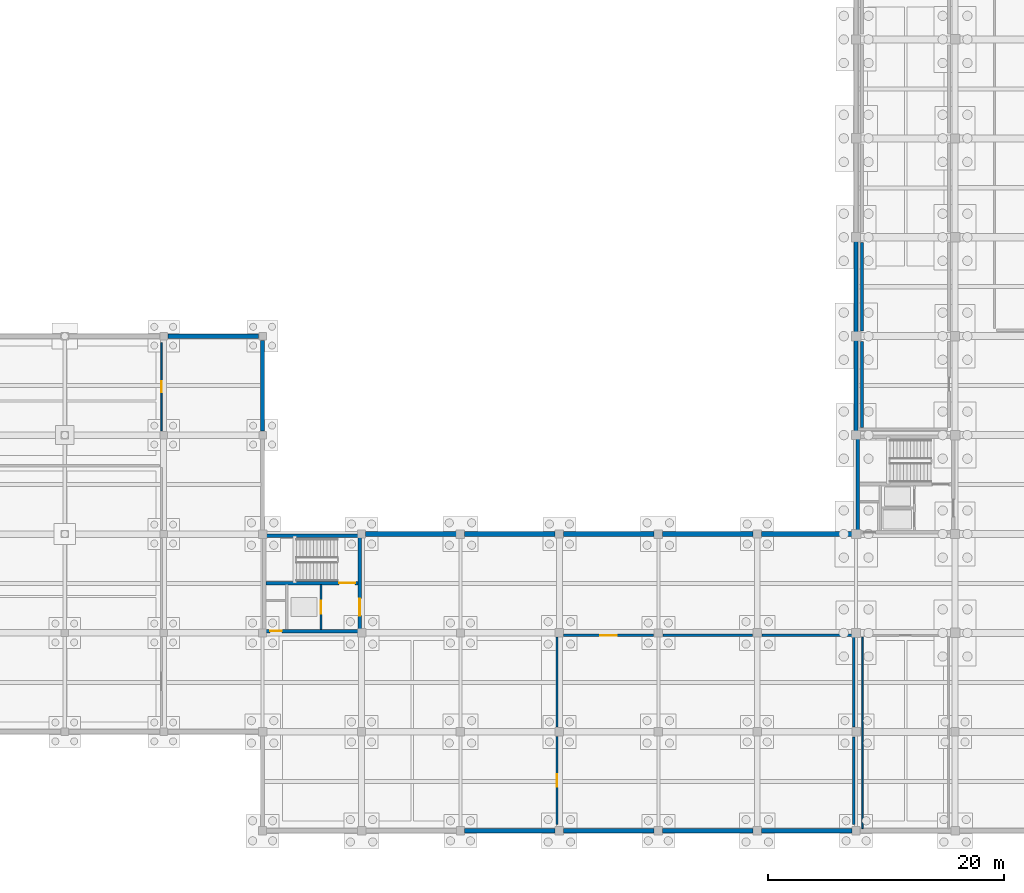
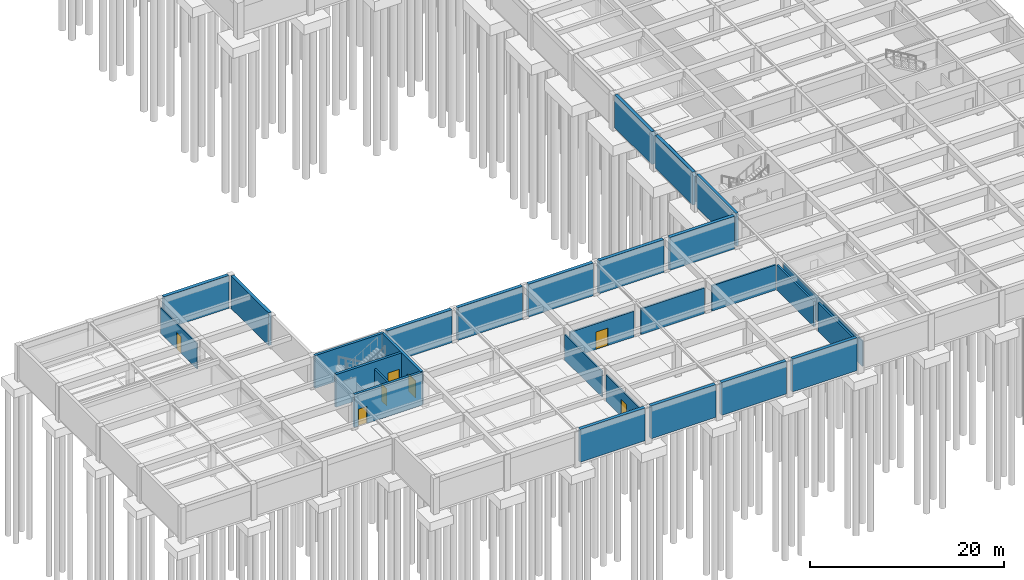
# One storey, part 18 of 33: 30 walls, 7 doors, 7 openings.
"""IFC4 building model written with IfcOpenShell, lengths in metres."""

from ifc_helpers import new_model, si_unit, direction, frame, frame_2d, origin, place, context, subcontext, project, spatial, rectangle, extrude, material, layer, layer_set, type_object, element, fill, save


model = new_model("IFC4")

# Units and contexts
model_context = context("Model", 3, precision=1e-05, world=origin(), true_north=direction((0.0, 1.0)))
body_context = subcontext(model_context, "Body", "Model", "MODEL_VIEW")
ifc_project = project(units=[si_unit("LENGTHUNIT", "METRE"), si_unit("AREAUNIT", "SQUARE_METRE"), si_unit("VOLUMEUNIT", "CUBIC_METRE"), si_unit("PLANEANGLEUNIT", "RADIAN"), si_unit("MASSUNIT", "GRAM", prefix="KILO")], contexts=[model_context])

# Site, building, storey
site_placement = place(None, origin())
site = spatial("IfcSite", under=ifc_project, at=site_placement, CompositionType="ELEMENT")
building_placement = place(site_placement, origin())
building = spatial("IfcBuilding", under=site, at=building_placement, Name="Kveldsbrygga Polytechnic", CompositionType="ELEMENT")
storey_placement = place(building_placement, frame((0.0, 0.0, -4.419921875)))
storey = spatial("IfcBuildingStorey", under=building, at=storey_placement, Name="B1", CompositionType="ELEMENT", Elevation=-4.419921875)

# Walls
ifc_material_1 = material(Name="Fired clay brick masonry M10", Category="masonry")
ifc_layer_1 = layer(ifc_material_1, 0.239990234375)
ifc_layer_set_1 = layer_set([ifc_layer_1], Name="Fired clay brick masonry M10")
wall_type_1 = type_object("IfcWallType", Name="IW-COMP-240", PredefinedType="PARTITIONING", material=ifc_layer_set_1)
wall_1_placement = place(storey_placement, frame((126.5, 34.25, 0.0), z_axis=(0.0, 0.0, 1.0), x_axis=(0.0, 1.0, 0.0)))
element("IfcWall", 1, at=wall_1_placement, inside=storey, type_object=wall_type_1, Name="Partition Wall IW-SP-B1-ARCH1-W1", PredefinedType="PARTITIONING", context=body_context, shape_type="SweptSolid", body=[
    extrude(rectangle(XDim=7.2900390625, YDim=0.239990234375, at=frame_2d((3.64501953125, 0.0))), origin(), (0.0, 0.0, 1.0), 3.559814453125),
])
wall_2_placement = place(storey_placement, frame((126.5, 42.4599609375, 0.0), z_axis=(0.0, 0.0, 1.0), x_axis=(0.0, 1.0, 0.0)))
element("IfcWall", 2, at=wall_2_placement, inside=storey, type_object=wall_type_1, Name="Partition Wall IW-SP-B1-ARCH1-W2", PredefinedType="PARTITIONING", context=body_context, shape_type="SweptSolid", body=[
    extrude(rectangle(XDim=7.489990234375, YDim=0.239990234375, at=frame_2d((3.7451171875, 0.0))), origin(), (0.0, 0.0, 1.0), 3.56982421875),
])

# Wall, opening, door
ifc_material_2 = material(Name="Concrete blockwork masonry", Category="masonry")
ifc_layer_2 = layer(ifc_material_2, 0.2099609375)
ifc_layer_set_2 = layer_set([ifc_layer_2], Name="Concrete blockwork masonry")
wall_type_2 = type_object("IfcWallType", Name="IW-PLT-210", PredefinedType="PARTITIONING", material=ifc_layer_set_2)
wall_3_placement = place(storey_placement, frame((101.14990234375, 16.60009765625, 0.0), z_axis=(0.0, 0.0, 1.0), x_axis=(1.0, 0.0, 0.0)))
wall_3 = element("IfcWall", 3, at=wall_3_placement, inside=storey, type_object=wall_type_2, Name="Partition Wall IW-SP-B1-SUBST-N1", PredefinedType="PARTITIONING", context=body_context, shape_type="SweptSolid", body=[
    extrude(rectangle(XDim=7.64013671875, YDim=0.2099609375, at=frame_2d((3.820068359375, 0.0))), origin(), (0.0, 0.0, 1.0), 3.239990234375),
])
opening_1_placement = place(wall_3_placement, frame((3.1201171875, 0.0, 0.0)))
opening_1 = element("IfcOpeningElement", 4, at=opening_1_placement, cuts=wall_3, Name="Opening ID-B1-008", PredefinedType="OPENING", context=body_context, shape_type="SweptSolid", body=[
    extrude(rectangle(XDim=1.39990234375, YDim=2.199951171875, at=frame_2d((0.699951171875, 1.10009765625))), frame((0.0, 0.114990234375, 0.0), z_axis=(0.0, -1.0, 0.0), x_axis=(1.0, 0.0, 0.0)), (0.0, 0.0, 1.0), 0.22998046875),
])
ifc_material_3 = material(Name="Powder-coated galvanised steel", Category="steel")
door_type_1 = type_object("IfcDoorType", Name="ID-PLT-140x220", OperationType="DOUBLE_DOOR_SINGLE_SWING", PredefinedType="DOOR", material=ifc_material_3)
door_1_placement = place(opening_1_placement, origin())
door_1 = element("IfcDoor", 5, at=door_1_placement, inside=storey, type_object=door_type_1, Name="Interior Door ID-B1-008", OperationType="DOUBLE_DOOR_SINGLE_SWING", OverallHeight=2.199951171875, OverallWidth=1.39990234375, PredefinedType="DOOR", context=body_context, shape_type="SweptSolid", body=[
    extrude(rectangle(XDim=1.39990234375, YDim=2.199951171875, at=frame_2d((0.699951171875, 1.10009765625))), frame((0.0, 0.02490234375, 0.0), z_axis=(0.0, -1.0, 0.0), x_axis=(1.0, 0.0, 0.0)), (0.0, 0.0, 1.0), 0.050048828125),
])
fill(opening_1, door_1)

# Walls
wall_4_placement = place(storey_placement, frame((109.610107421875, 16.60009765625, 0.0), z_axis=(0.0, 0.0, 1.0), x_axis=(1.0, 0.0, 0.0)))
element("IfcWall", 6, at=wall_4_placement, inside=storey, type_object=wall_type_2, Name="Partition Wall IW-SP-B1-SUBST-N2", PredefinedType="PARTITIONING", context=body_context, shape_type="SweptSolid", body=[
    extrude(rectangle(XDim=7.56982421875, YDim=0.2099609375, at=frame_2d((3.784912109375, 0.0))), origin(), (0.0, 0.0, 1.0), 3.239990234375),
])
wall_5_placement = place(storey_placement, frame((118.02001953125, 16.60009765625, 0.0), z_axis=(0.0, 0.0, 1.0), x_axis=(1.0, 0.0, 0.0)))
element("IfcWall", 7, at=wall_5_placement, inside=storey, type_object=wall_type_2, Name="Partition Wall IW-SP-B1-SUBST-N3", PredefinedType="PARTITIONING", context=body_context, shape_type="SweptSolid", body=[
    extrude(rectangle(XDim=7.6298828125, YDim=0.2099609375, at=frame_2d((3.81494140625, 0.0))), origin(), (0.0, 0.0, 1.0), 3.169921875),
])
wall_6_placement = place(storey_placement, frame((125.800048828125, 0.550048828125, 0.0), z_axis=(0.0, 0.0, 1.0), x_axis=(0.0, 1.0, 0.0)))
element("IfcWall", 8, at=wall_6_placement, inside=storey, type_object=wall_type_2, Name="Partition Wall IW-SP-B1-SUBST-E1", PredefinedType="PARTITIONING", context=body_context, shape_type="SweptSolid", body=[
    extrude(rectangle(XDim=7.429931640625, YDim=0.2099609375, at=frame_2d((3.71484375, 0.0))), origin(), (0.0, 0.0, 1.0), 3.56982421875),
])
wall_7_placement = place(storey_placement, frame((125.800048828125, 8.820068359375, 0.0), z_axis=(0.0, 0.0, 1.0), x_axis=(0.0, 1.0, 0.0)))
element("IfcWall", 9, at=wall_7_placement, inside=storey, type_object=wall_type_2, Name="Partition Wall IW-SP-B1-SUBST-E2", PredefinedType="PARTITIONING", context=body_context, shape_type="SweptSolid", body=[
    extrude(rectangle(XDim=7.6298828125, YDim=0.2099609375, at=frame_2d((3.81494140625, 0.0))), origin(), (0.0, 0.0, 1.0), 3.169921875),
])

# Wall, opening, door
ifc_material_4 = material(Name="Moisture-resistant masonry M10", Category="masonry")
ifc_layer_3 = layer(ifc_material_4, 0.1298828125)
ifc_layer_set_3 = layer_set([ifc_layer_3], Name="Moisture-resistant masonry M10")
wall_type_3 = type_object("IfcWallType", Name="IW-SAN-130", PredefinedType="PARTITIONING", material=ifc_layer_set_3)
wall_8_placement = place(storey_placement, frame((67.0, 33.969970703125, 0.0), z_axis=(0.0, 0.0, 1.0), x_axis=(0.0, 1.0, 0.0)))
wall_8 = element("IfcWall", 10, at=wall_8_placement, inside=storey, type_object=wall_type_3, Name="Partition Wall IW-SP-B1-CYCSHW-E1", PredefinedType="PARTITIONING", context=body_context, shape_type="SweptSolid", body=[
    extrude(rectangle(XDim=7.47998046875, YDim=0.1298828125, at=frame_2d((3.739990234375, 0.0))), origin(), (0.0, 0.0, 1.0), 3.219970703125),
])
opening_2_placement = place(wall_8_placement, frame((3.2900390625, 0.0, 0.0)))
opening_2 = element("IfcOpeningElement", 11, at=opening_2_placement, cuts=wall_8, Name="Opening ID-B1-006", PredefinedType="OPENING", context=body_context, shape_type="SweptSolid", body=[
    extrude(rectangle(XDim=0.89990234375, YDim=2.10009765625, at=frame_2d((0.449951171875, 1.050048828125))), frame((0.0, 0.074951171875, 0.0), z_axis=(0.0, -1.0, 0.0), x_axis=(1.0, 0.0, 0.0)), (0.0, 0.0, 1.0), 0.14990234375),
])
ifc_material_5 = material(Name="Acoustic oak timber", Category="wood")
door_type_2 = type_object("IfcDoorType", Name="ID-SAN-090x210", OperationType="NOTDEFINED", PredefinedType="DOOR", material=ifc_material_5)
door_2_placement = place(opening_2_placement, origin())
door_2 = element("IfcDoor", 12, at=door_2_placement, inside=storey, type_object=door_type_2, Name="Interior Door ID-B1-006", OperationType="SINGLE_SWING_LEFT", OverallHeight=2.10009765625, OverallWidth=0.89990234375, PredefinedType="DOOR", context=body_context, shape_type="SweptSolid", body=[
    extrude(rectangle(XDim=0.89990234375, YDim=2.10009765625, at=frame_2d((0.449951171875, 1.050048828125))), frame((0.0, 0.02490234375, 0.0), z_axis=(0.0, -1.0, 0.0), x_axis=(1.0, 0.0, 0.0)), (0.0, 0.0, 1.0), 0.050048828125),
])
fill(opening_2, door_2)

# Wall
wall_9_placement = place(storey_placement, frame((126.550048828125, 0.179931640625, 0.0), z_axis=(0.0, 0.0, 1.0), x_axis=(0.0, 1.0, 0.0)))
element("IfcWall", 13, at=wall_9_placement, inside=storey, type_object=wall_type_3, Name="Partition Wall IW-SP-B1-WC1-W1", PredefinedType="PARTITIONING", context=body_context, shape_type="SweptSolid", body=[
    extrude(rectangle(XDim=16.27001953125, YDim=0.1298828125, at=frame_2d((8.135009765625, 0.0))), origin(), (0.0, 0.0, 1.0), 3.169921875),
])

# Wall, opening, door
ifc_layer_4 = layer(ifc_material_1, 0.169921875)
ifc_layer_set_4 = layer_set([ifc_layer_4], Name="Fired clay brick masonry M10")
wall_type_4 = type_object("IfcWallType", Name="IW-STR-170", PredefinedType="PARTITIONING", material=ifc_layer_set_4)
wall_10_placement = place(storey_placement, frame((100.60009765625, 0.550048828125, 0.0), z_axis=(0.0, 0.0, 1.0), x_axis=(0.0, 1.0, 0.0)))
wall_10 = element("IfcWall", 14, at=wall_10_placement, inside=storey, type_object=wall_type_4, Name="Partition Wall IW-SP-B1-KSTOR-E1", PredefinedType="PARTITIONING", context=body_context, shape_type="SweptSolid", body=[
    extrude(rectangle(XDim=7.43994140625, YDim=0.169921875, at=frame_2d((3.719970703125, 0.0))), origin(), (0.0, 0.0, 1.0), 3.31982421875),
])
opening_3_placement = place(wall_10_placement, frame((3.169921875, 0.0, 0.0)))
opening_3 = element("IfcOpeningElement", 15, at=opening_3_placement, cuts=wall_10, Name="Opening ID-B1-007", PredefinedType="OPENING", context=body_context, shape_type="SweptSolid", body=[
    extrude(rectangle(XDim=1.10009765625, YDim=2.14990234375, at=frame_2d((0.550048828125, 1.074951171875))), frame((0.0, 0.094970703125, 0.0), z_axis=(0.0, -1.0, 0.0), x_axis=(1.0, 0.0, 0.0)), (0.0, 0.0, 1.0), 0.18994140625),
])
door_type_3 = type_object("IfcDoorType", Name="ID-STK-110x215", OperationType="NOTDEFINED", PredefinedType="DOOR", material=ifc_material_3)
door_3_placement = place(opening_3_placement, origin())
door_3 = element("IfcDoor", 16, at=door_3_placement, inside=storey, type_object=door_type_3, Name="Interior Door ID-B1-007", OperationType="SINGLE_SWING_RIGHT", OverallHeight=2.14990234375, OverallWidth=1.10009765625, PredefinedType="DOOR", context=body_context, shape_type="SweptSolid", body=[
    extrude(rectangle(XDim=1.10009765625, YDim=2.14990234375, at=frame_2d((0.550048828125, 1.074951171875))), frame((0.0, 0.02490234375, 0.0), z_axis=(0.0, -1.0, 0.0), x_axis=(1.0, 0.0, 0.0)), (0.0, 0.0, 1.0), 0.050048828125),
])
fill(opening_3, door_3)

# Walls
wall_11_placement = place(storey_placement, frame((100.60009765625, 8.81005859375, 0.0), z_axis=(0.0, 0.0, 1.0), x_axis=(0.0, 1.0, 0.0)))
element("IfcWall", 17, at=wall_11_placement, inside=storey, type_object=wall_type_4, Name="Partition Wall IW-SP-B1-KSTOR-E2", PredefinedType="PARTITIONING", context=body_context, shape_type="SweptSolid", body=[
    extrude(rectangle(XDim=7.639892578125, YDim=0.169921875, at=frame_2d((3.81982421875, 0.0))), origin(), (0.0, 0.0, 1.0), 3.239990234375),
])
ifc_material_6 = material(Name="Concrete C45/55", Category="concrete")
ifc_layer_5 = layer(ifc_material_6, 0.300048828125)
ifc_layer_set_5 = layer_set([ifc_layer_5], Name="Concrete C45/55")
wall_type_5 = type_object("IfcWallType", Name="WL-CORE-300", PredefinedType="SHEAR", material=ifc_layer_set_5)
wall_12_placement = place(storey_placement, frame((126.14990234375, 25.35009765625, 0.0), z_axis=(0.0, 0.0, 1.0), x_axis=(0.0, 1.0, 0.0)))
element("IfcWall", 18, at=wall_12_placement, inside=storey, type_object=wall_type_5, Name="Core C1 Shear Wall C1-B1-SW-W", PredefinedType="SHEAR", context=body_context, shape_type="SweptSolid", body=[
    extrude(rectangle(XDim=8.099853515625, YDim=0.300048828125, at=frame_2d((4.0498046875, 0.0))), origin(), (0.0, 0.0, 1.0), 4.119873046875),
])

# Wall, opening, door
wall_13_placement = place(storey_placement, frame((75.75, 16.949951171875, 0.0), z_axis=(0.0, 0.0, 1.0), x_axis=(1.0, 0.0, 0.0)))
wall_13 = element("IfcWall", 19, at=wall_13_placement, inside=storey, type_object=wall_type_5, Name="Core C6 Shear Wall C6-B1-SW-S", PredefinedType="SHEAR", context=body_context, shape_type="SweptSolid", body=[
    extrude(rectangle(XDim=8.10009765625, YDim=0.300048828125, at=frame_2d((4.050048828125, 0.0))), origin(), (0.0, 0.0, 1.0), 4.119873046875),
])
opening_4_placement = place(wall_13_placement, frame((0.485107421875, 0.0, 0.0)))
opening_4 = element("IfcOpeningElement", 20, at=opening_4_placement, cuts=wall_13, Name="Opening ID-C6-B1-AWC", PredefinedType="OPENING", context=body_context, shape_type="SweptSolid", body=[
    extrude(rectangle(XDim=1.0, YDim=2.14990234375, at=frame_2d((0.5, 1.074951171875))), frame((0.0, 0.16015625, 0.0), z_axis=(0.0, -1.0, 0.0), x_axis=(1.0, 0.0, 0.0)), (0.0, 0.0, 1.0), 0.320068359375),
])
door_type_4 = type_object("IfcDoorType", Name="ID-AWC-100x215", OperationType="NOTDEFINED", PredefinedType="DOOR", material=ifc_material_5)
door_4_placement = place(opening_4_placement, origin())
door_4 = element("IfcDoor", 21, at=door_4_placement, inside=storey, type_object=door_type_4, Name="Accessible WC Door ID-C6-B1-AWC", OperationType="SINGLE_SWING_LEFT", OverallHeight=2.14990234375, OverallWidth=1.0, PredefinedType="DOOR", context=body_context, shape_type="SweptSolid", body=[
    extrude(rectangle(XDim=1.0, YDim=2.14990234375, at=frame_2d((0.5, 1.074951171875))), frame((0.0, 0.02490234375, 0.0), z_axis=(0.0, -1.0, 0.0), x_axis=(1.0, 0.0, 0.0)), (0.0, 0.0, 1.0), 0.050048828125),
])
fill(opening_4, door_4)

# Wall
wall_14_placement = place(storey_placement, frame((75.75, 25.050048828125, 0.0), z_axis=(0.0, 0.0, 1.0), x_axis=(1.0, 0.0, 0.0)))
element("IfcWall", 22, at=wall_14_placement, inside=storey, type_object=wall_type_5, Name="Core C6 Shear Wall C6-B1-SW-N", PredefinedType="SHEAR", context=body_context, shape_type="SweptSolid", body=[
    extrude(rectangle(XDim=8.10009765625, YDim=0.300048828125, at=frame_2d((4.050048828125, 0.0))), origin(), (0.0, 0.0, 1.0), 4.119873046875),
])

# Wall, opening, door
wall_15_placement = place(storey_placement, frame((83.85009765625, 16.949951171875, 0.0), z_axis=(0.0, 0.0, 1.0), x_axis=(0.0, 1.0, 0.0)))
wall_15 = element("IfcWall", 23, at=wall_15_placement, inside=storey, type_object=wall_type_5, Name="Core C6 Shear Wall C6-B1-SW-E", PredefinedType="SHEAR", context=body_context, shape_type="SweptSolid", body=[
    extrude(rectangle(XDim=8.10009765625, YDim=0.300048828125, at=frame_2d((4.050048828125, 0.0))), origin(), (0.0, 0.0, 1.0), 4.119873046875),
])
opening_5_placement = place(wall_15_placement, frame((1.324951171875, 0.0, 0.0)))
opening_5 = element("IfcOpeningElement", 24, at=opening_5_placement, cuts=wall_15, Name="Opening FD-C6-B1-LOB", PredefinedType="OPENING", context=body_context, shape_type="SweptSolid", body=[
    extrude(rectangle(XDim=1.449951171875, YDim=2.14990234375, at=frame_2d((0.72509765625, 1.074951171875))), frame((0.0, 0.16015625, 0.0), z_axis=(0.0, -1.0, 0.0), x_axis=(1.0, 0.0, 0.0)), (0.0, 0.0, 1.0), 0.320068359375),
])
door_type_5 = type_object("IfcDoorType", Name="ID-LOBBY-145x215", OperationType="DOUBLE_DOOR_SINGLE_SWING", PredefinedType="DOOR", material=ifc_material_3)
door_5_placement = place(opening_5_placement, origin())
door_5 = element("IfcDoor", 25, at=door_5_placement, inside=storey, type_object=door_type_5, Name="Core Lobby Fire Door FD-C6-B1-LOB", OperationType="DOUBLE_DOOR_SINGLE_SWING", OverallHeight=2.14990234375, OverallWidth=1.449951171875, PredefinedType="DOOR", context=body_context, shape_type="SweptSolid", body=[
    extrude(rectangle(XDim=1.449951171875, YDim=2.14990234375, at=frame_2d((0.72509765625, 1.074951171875))), frame((0.0, 0.02490234375, 0.0), z_axis=(0.0, -1.0, 0.0), x_axis=(1.0, 0.0, 0.0)), (0.0, 0.0, 1.0), 0.050048828125),
])
fill(opening_5, door_5)

wall_16_placement = place(storey_placement, frame((75.89990234375, 21.030029296875, 0.0), z_axis=(0.0, 0.0, 1.0), x_axis=(1.0, 0.0, 0.0)))
wall_16 = element("IfcWall", 26, at=wall_16_placement, inside=storey, type_object=wall_type_5, Name="Core C6 Shear Wall C6-B1-W-DIV", PredefinedType="SHEAR", context=body_context, shape_type="SweptSolid", body=[
    extrude(rectangle(XDim=7.800048828125, YDim=0.300048828125, at=frame_2d((3.89990234375, 0.0))), origin(), (0.0, 0.0, 1.0), 4.119873046875),
])
opening_6_placement = place(wall_16_placement, frame((6.199951171875, 0.0, 0.0)))
opening_6 = element("IfcOpeningElement", 27, at=opening_6_placement, cuts=wall_16, Name="Opening FD-C6-B1-ST", PredefinedType="OPENING", context=body_context, shape_type="SweptSolid", body=[
    extrude(rectangle(XDim=1.35009765625, YDim=2.14990234375, at=frame_2d((0.675048828125, 1.074951171875))), frame((0.0, 0.16015625, 0.0), z_axis=(0.0, -1.0, 0.0), x_axis=(1.0, 0.0, 0.0)), (0.0, 0.0, 1.0), 0.320068359375),
])
door_type_6 = type_object("IfcDoorType", Name="ID-STAIR-135x215", OperationType="NOTDEFINED", PredefinedType="DOOR", material=ifc_material_3)
door_6_placement = place(opening_6_placement, origin())
door_6 = element("IfcDoor", 28, at=door_6_placement, inside=storey, type_object=door_type_6, Name="Stair Fire Door FD-C6-B1-ST", OperationType="SINGLE_SWING_RIGHT", OverallHeight=2.14990234375, OverallWidth=1.35009765625, PredefinedType="DOOR", context=body_context, shape_type="SweptSolid", body=[
    extrude(rectangle(XDim=1.35009765625, YDim=2.14990234375, at=frame_2d((0.675048828125, 1.074951171875))), frame((0.0, 0.02490234375, 0.0), z_axis=(0.0, -1.0, 0.0), x_axis=(1.0, 0.0, 0.0)), (0.0, 0.0, 1.0), 0.050048828125),
])
fill(opening_6, door_6)

# Walls
ifc_material_7 = material(Name="Concrete C35/45", Category="concrete")
ifc_layer_6 = layer(ifc_material_7, 0.360107421875)
ifc_layer_set_6 = layer_set([ifc_layer_6], Name="Concrete C35/45")
wall_type_6 = type_object("IfcWallType", Name="WL-RET-360", PredefinedType="USERDEFINED", material=ifc_layer_set_6)
for number, where, z_axis, x_axis, name in (
    (29, (75.60009765625, 33.949951171875, 0.0), (0.0, 0.0, 1.0), (0.0, 1.0, 0.0), "Basement Retaining Wall RW-E-08-04"),
    (30, (126.0, 33.949951171875, 0.0), (0.0, 0.0, 1.0), (0.0, 1.0, 0.0), "Basement Retaining Wall RW-W-15-04"),
    (31, (126.0, 42.35009765625, 0.0), (0.0, 0.0, 1.0), (0.0, 1.0, 0.0), "Basement Retaining Wall RW-W-15-05"),
):
    element("IfcWall", number, at=place(storey_placement, frame(where, z_axis=z_axis, x_axis=x_axis)), inside=storey, type_object=wall_type_6, Name=name, ObjectType="RETAININGWALL", PredefinedType="USERDEFINED", context=body_context, shape_type="SweptSolid", body=[
        extrude(rectangle(XDim=7.699951171875, YDim=0.360107421875, at=frame_2d((3.85009765625, 0.0))), origin(), (0.0, 0.0, 1.0), 4.119873046875),
    ])
ifc_layer_7 = layer(ifc_material_7, 0.39990234375)
ifc_layer_set_7 = layer_set([ifc_layer_7], Name="Concrete C35/45")
wall_type_7 = type_object("IfcWallType", Name="WL-RET-400", PredefinedType="USERDEFINED", material=ifc_layer_set_7)
for number, where, z_axis, x_axis, name in (
    (32, (67.550048828125, 42.0, 0.0), (0.0, 0.0, 1.0), (1.0, 0.0, 0.0), "Basement Retaining Wall RW-N-08-04"),
    (33, (84.35009765625, 25.199951171875, 0.0), (0.0, 0.0, 1.0), (1.0, 0.0, 0.0), "Basement Retaining Wall RW-N-10-02"),
    (34, (92.75, 0.0, 0.0), (0.0, 0.0, 1.0), (1.0, 0.0, 0.0), "Basement Retaining Wall RW-S-11-00"),
    (35, (92.75, 25.199951171875, 0.0), (0.0, 0.0, 1.0), (1.0, 0.0, 0.0), "Basement Retaining Wall RW-N-11-02"),
):
    element("IfcWall", number, at=place(storey_placement, frame(where, z_axis=z_axis, x_axis=x_axis)), inside=storey, type_object=wall_type_7, Name=name, ObjectType="RETAININGWALL", PredefinedType="USERDEFINED", context=body_context, shape_type="SweptSolid", body=[
        extrude(rectangle(XDim=7.699951171875, YDim=0.39990234375, at=frame_2d((3.85009765625, 0.0))), origin(), (0.0, 0.0, 1.0), 4.119873046875),
    ])
for number, where, z_axis, x_axis, name in (
    (36, (101.14990234375, 0.0, 0.0), (0.0, 0.0, 1.0), (1.0, 0.0, 0.0), "Basement Retaining Wall RW-S-12-00"),
    (37, (101.14990234375, 25.199951171875, 0.0), (0.0, 0.0, 1.0), (1.0, 0.0, 0.0), "Basement Retaining Wall RW-N-12-02"),
):
    element("IfcWall", number, at=place(storey_placement, frame(where, z_axis=z_axis, x_axis=x_axis)), inside=storey, type_object=wall_type_7, Name=name, ObjectType="RETAININGWALL", PredefinedType="USERDEFINED", context=body_context, shape_type="SweptSolid", body=[
        extrude(rectangle(XDim=7.7001953125, YDim=0.39990234375, at=frame_2d((3.85009765625, 0.0))), origin(), (0.0, 0.0, 1.0), 4.119873046875),
    ])
for number, where, z_axis, x_axis, name in (
    (38, (109.550048828125, 0.0, 0.0), (0.0, 0.0, 1.0), (1.0, 0.0, 0.0), "Basement Retaining Wall RW-S-13-00"),
    (39, (109.550048828125, 25.199951171875, 0.0), (0.0, 0.0, 1.0), (1.0, 0.0, 0.0), "Basement Retaining Wall RW-N-13-02"),
    (40, (117.949951171875, 0.0, 0.0), (0.0, 0.0, 1.0), (1.0, 0.0, 0.0), "Basement Retaining Wall RW-S-14-00"),
    (41, (117.949951171875, 25.199951171875, 0.0), (0.0, 0.0, 1.0), (1.0, 0.0, 0.0), "Basement Retaining Wall RW-N-14-02"),
):
    element("IfcWall", number, at=place(storey_placement, frame(where, z_axis=z_axis, x_axis=x_axis)), inside=storey, type_object=wall_type_7, Name=name, ObjectType="RETAININGWALL", PredefinedType="USERDEFINED", context=body_context, shape_type="SweptSolid", body=[
        extrude(rectangle(XDim=7.699951171875, YDim=0.39990234375, at=frame_2d((3.85009765625, 0.0))), origin(), (0.0, 0.0, 1.0), 4.119873046875),
    ])

# Wall, opening, door
ifc_layer_8 = layer(ifc_material_7, 0.199951171875)
ifc_layer_set_8 = layer_set([ifc_layer_8], Name="Concrete C35/45")
wall_type_8 = type_object("IfcWallType", Name="WL-SHFT-200", PredefinedType="SHEAR", material=ifc_layer_set_8)
wall_17_placement = place(storey_placement, frame((80.56005859375, 17.10009765625, 0.0), z_axis=(0.0, 0.0, 1.0), x_axis=(0.0, 1.0, 0.0)))
wall_17 = element("IfcWall", 42, at=wall_17_placement, inside=storey, type_object=wall_type_8, Name="Lift Front Wall C6-B1-W-LFR", PredefinedType="SHEAR", context=body_context, shape_type="SweptSolid", body=[
    extrude(rectangle(XDim=3.7998046875, YDim=0.199951171875, at=frame_2d((1.89990234375, 0.0))), origin(), (0.0, 0.0, 1.0), 3.239990234375),
])
opening_7_placement = place(wall_17_placement, frame((1.35009765625, 0.0, 0.0)))
opening_7 = element("IfcOpeningElement", 43, at=opening_7_placement, cuts=wall_17, Name="Opening LD-LP-6", PredefinedType="OPENING", context=body_context, shape_type="SweptSolid", body=[
    extrude(rectangle(XDim=1.10009765625, YDim=2.14990234375, at=frame_2d((0.550048828125, 1.074951171875))), frame((0.0, 0.10986328125, 0.0), z_axis=(0.0, -1.0, 0.0), x_axis=(1.0, 0.0, 0.0)), (0.0, 0.0, 1.0), 0.219970703125),
])
ifc_material_8 = material(Name="Brushed stainless steel EN 1.4401", Category="steel")
door_type_7 = type_object("IfcDoorType", Name="LD-PAX-110x215", OperationType="SLIDING_TO_LEFT", PredefinedType="DOOR", material=ifc_material_8)
door_7_placement = place(opening_7_placement, origin())
door_7 = element("IfcDoor", 44, at=door_7_placement, inside=storey, type_object=door_type_7, Name="Lift Landing Sliding Door LD-LP-6-B1", OperationType="SLIDING_TO_LEFT", OverallHeight=2.14990234375, OverallWidth=1.10009765625, PredefinedType="DOOR", context=body_context, shape_type="SweptSolid", body=[
    extrude(rectangle(XDim=1.10009765625, YDim=2.14990234375, at=frame_2d((0.550048828125, 1.074951171875))), frame((0.0, 0.02490234375, 0.0), z_axis=(0.0, -1.0, 0.0), x_axis=(1.0, 0.0, 0.0)), (0.0, 0.0, 1.0), 0.050048828125),
])
fill(opening_7, door_7)

save(model, "model.ifc")
